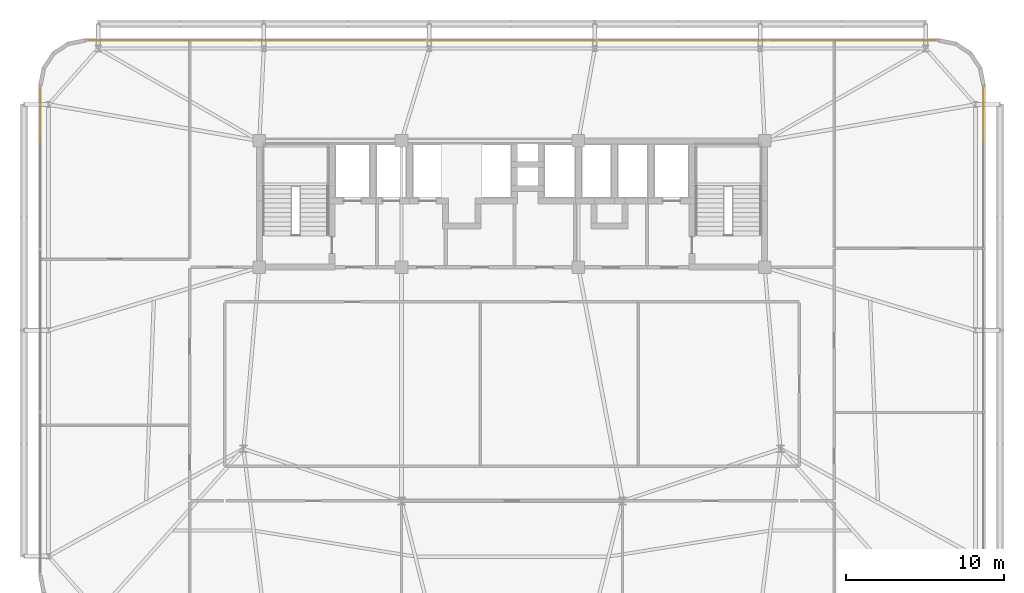
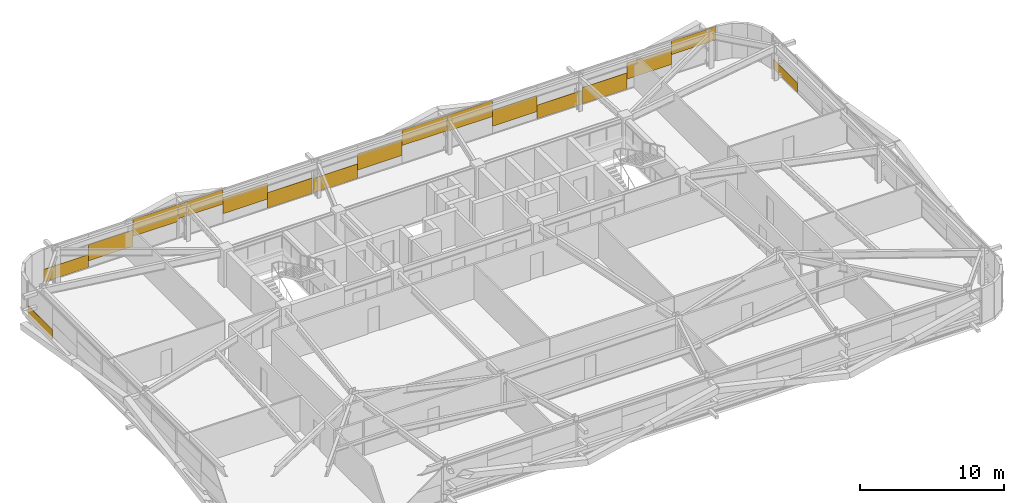
# One storey, part 44 of 44: 17 coverings.
"""IFC4 building model written with IfcOpenShell, lengths in metres."""

from ifc_helpers import new_model, si_unit, direction, frame, origin, origin_2d, place, context, subcontext, project, spatial, rectangle, extrude, source, transform, mapped, material, layer, layer_set, type_object, element, save


model = new_model("IFC4")

# Units and contexts
model_context = context("Model", 3, precision=1e-05, world=origin(), true_north=direction((0.0, 1.0)))
body_context = subcontext(model_context, "Body", "Model", "MODEL_VIEW")
ifc_project = project(units=[si_unit("LENGTHUNIT", "METRE"), si_unit("AREAUNIT", "SQUARE_METRE"), si_unit("VOLUMEUNIT", "CUBIC_METRE"), si_unit("PLANEANGLEUNIT", "RADIAN"), si_unit("MASSUNIT", "GRAM", prefix="KILO")], contexts=[model_context])

# Site, building, storey
site_placement = place(None, origin())
site = spatial("IfcSite", under=ifc_project, at=site_placement, CompositionType="ELEMENT")
building_placement = place(site_placement, origin())
building = spatial("IfcBuilding", under=site, at=building_placement, Name="Taldren Reach Tower", CompositionType="ELEMENT")
storey_placement = place(building_placement, frame((0.0, 0.0, 42.0)))
storey = spatial("IfcBuildingStorey", under=building, at=storey_placement, Name="L12", CompositionType="ELEMENT", Elevation=42.0)

# Coverings
ifc_material = material(Name="Pale Champagne Fluoropolymer Aluminium Spandrel Cladding", Category="aluminium")
ifc_layer = layer(ifc_material, 0.0439453125)
ifc_layer_set = layer_set([ifc_layer], Name="Pale Champagne Fluoropolymer Aluminium Spandrel Cladding")
covering_type = type_object("IfcCoveringType", Name="CV-CLAD-044", PredefinedType="CLADDING", material=ifc_layer_set)
shared_shape_1 = source(origin(), body_context, "Body", "SweptSolid", [
    extrude(rectangle(XDim=3.5673828125, YDim=0.0439453125, at=origin_2d()), origin(), (0.0, 0.0, 1.0), 1.088623046875),
])
covering_1_placement = place(storey_placement, frame((9.8486328125, 38.360107421875, 0.05517578125), z_axis=(0.0, 0.0, 1.0), x_axis=(-1.0, 0.0, 0.0)))
element("IfcCovering", 1, at=covering_1_placement, inside=storey, type_object=covering_type, Name="Diagrid closure cladding strip CW-2 panel 5.1 3", PredefinedType="CLADDING", context=body_context, shape_type="MappedRepresentation", body=[
    mapped(shared_shape_1, transform((0.0, 0.0, 0.0), scale=1.0)),
])
shared_shape_2 = source(origin(), body_context, "Body", "SweptSolid", [
    extrude(rectangle(XDim=3.5673828125, YDim=0.0439453125, at=origin_2d()), origin(), (0.0, 0.0, 1.0), 1.36083984375),
])
for number, where, z_axis, x_axis, name in (
    (2, (56.583740234375, 38.360107421875, 0.899169921875), (0.0, 0.0, 1.0), (-1.0, 0.0, 0.0), "Diagrid closure cladding strip CW-2 panel 1.1 2"),
    (3, (13.416259765625, 38.360107421875, 0.60986328125), (0.0, 0.0, 1.0), (-1.0, 0.0, 0.0), "Diagrid closure cladding strip CW-2 panel 5.1 2"),
):
    element("IfcCovering", number, at=place(storey_placement, frame(where, z_axis=z_axis, x_axis=x_axis)), inside=storey, type_object=covering_type, Name=name, PredefinedType="CLADDING", context=body_context, shape_type="MappedRepresentation", body=[
        mapped(shared_shape_2, transform((0.0, 0.0, 0.0), scale=1.0)),
    ])
shared_shape_3 = source(origin(), body_context, "Body", "SweptSolid", [
    extrude(rectangle(XDim=3.5673828125, YDim=0.0439453125, at=origin_2d()), origin(), (0.0, 0.0, 1.0), 1.437744140625),
])
covering_2_placement = place(storey_placement, frame((16.983642578125, 38.360107421875, 1.43701171875), z_axis=(0.0, 0.0, 1.0), x_axis=(-1.0, 0.0, 0.0)))
element("IfcCovering", 4, at=covering_2_placement, inside=storey, type_object=covering_type, Name="Diagrid closure cladding strip CW-2 panel 5.1 1", PredefinedType="CLADDING", context=body_context, shape_type="MappedRepresentation", body=[
    mapped(shared_shape_3, transform((0.0, 0.0, 0.0), scale=1.0)),
])
shared_shape_4 = source(origin(), body_context, "Body", "SweptSolid", [
    extrude(rectangle(XDim=3.578369140625, YDim=0.0439453125, at=origin_2d()), origin(), (0.0, 0.0, 1.0), 1.2177734375),
])
covering_3_placement = place(storey_placement, frame((20.62158203125, 38.360107421875, 1.6572265625), z_axis=(0.0, 0.0, 1.0), x_axis=(-1.0, 0.0, 0.0)))
element("IfcCovering", 5, at=covering_3_placement, inside=storey, type_object=covering_type, Name="Diagrid closure cladding strip CW-2 panel 4.1 3", PredefinedType="CLADDING", context=body_context, shape_type="MappedRepresentation", body=[
    mapped(shared_shape_4, transform((0.0, 0.0, 0.0), scale=1.0)),
])
shared_shape_5 = source(origin(), body_context, "Body", "SweptSolid", [
    extrude(rectangle(XDim=3.578369140625, YDim=0.0439453125, at=origin_2d()), origin(), (0.0, 0.0, 1.0), 1.36328125),
])
for number, where, z_axis, x_axis, name in (
    (6, (45.800048828125, 38.360107421875, 0.67919921875), (0.0, 0.0, 1.0), (-1.0, 0.0, 0.0), "Diagrid closure cladding strip CW-2 panel 2.1 2"),
    (7, (35.0, 38.360107421875, 0.75341796875), (0.0, 0.0, 1.0), (-1.0, 0.0, 0.0), "Diagrid closure cladding strip CW-2 panel 3.1 2"),
    (8, (24.199951171875, 38.360107421875, 0.82763671875), (0.0, 0.0, 1.0), (-1.0, 0.0, 0.0), "Diagrid closure cladding strip CW-2 panel 4.1 2"),
):
    element("IfcCovering", number, at=place(storey_placement, frame(where, z_axis=z_axis, x_axis=x_axis)), inside=storey, type_object=covering_type, Name=name, PredefinedType="CLADDING", context=body_context, shape_type="MappedRepresentation", body=[
        mapped(shared_shape_5, transform((0.0, 0.0, 0.0), scale=1.0)),
    ])
shared_shape_6 = source(origin(), body_context, "Body", "SweptSolid", [
    extrude(rectangle(XDim=3.578369140625, YDim=0.0439453125, at=origin_2d()), origin(), (0.0, 0.0, 1.0), 1.30615234375),
])
covering_4_placement = place(storey_placement, frame((27.7783203125, 38.360107421875, 0.054931640625), z_axis=(0.0, 0.0, 1.0), x_axis=(-1.0, 0.0, 0.0)))
element("IfcCovering", 9, at=covering_4_placement, inside=storey, type_object=covering_type, Name="Diagrid closure cladding strip CW-2 panel 4.1 1", PredefinedType="CLADDING", context=body_context, shape_type="MappedRepresentation", body=[
    mapped(shared_shape_6, transform((0.0, 0.0, 0.0), scale=1.0)),
])
shared_shape_7 = source(origin(), body_context, "Body", "SweptSolid", [
    extrude(rectangle(XDim=3.578369140625, YDim=0.0439453125, at=origin_2d()), origin(), (0.0, 0.0, 1.0), 1.23193359375),
])
covering_5_placement = place(storey_placement, frame((31.421630859375, 38.360107421875, 0.054931640625), z_axis=(0.0, 0.0, 1.0), x_axis=(-1.0, 0.0, 0.0)))
element("IfcCovering", 10, at=covering_5_placement, inside=storey, type_object=covering_type, Name="Diagrid closure cladding strip CW-2 panel 3.1 3", PredefinedType="CLADDING", context=body_context, shape_type="MappedRepresentation", body=[
    mapped(shared_shape_7, transform((0.0, 0.0, 0.0), scale=1.0)),
])
shared_shape_8 = source(origin(), body_context, "Body", "SweptSolid", [
    extrude(rectangle(XDim=3.578369140625, YDim=0.0439453125, at=origin_2d()), origin(), (0.0, 0.0, 1.0), 1.2919921875),
])
covering_6_placement = place(storey_placement, frame((38.578369140625, 38.360107421875, 1.5830078125), z_axis=(0.0, 0.0, 1.0), x_axis=(-1.0, 0.0, 0.0)))
element("IfcCovering", 11, at=covering_6_placement, inside=storey, type_object=covering_type, Name="Diagrid closure cladding strip CW-2 panel 3.1 1", PredefinedType="CLADDING", context=body_context, shape_type="MappedRepresentation", body=[
    mapped(shared_shape_8, transform((0.0, 0.0, 0.0), scale=1.0)),
])
shared_shape_9 = source(origin(), body_context, "Body", "SweptSolid", [
    extrude(rectangle(XDim=3.578369140625, YDim=0.0439453125, at=origin_2d()), origin(), (0.0, 0.0, 1.0), 1.3662109375),
])
covering_7_placement = place(storey_placement, frame((42.2216796875, 38.360107421875, 1.5087890625), z_axis=(0.0, 0.0, 1.0), x_axis=(-1.0, 0.0, 0.0)))
element("IfcCovering", 12, at=covering_7_placement, inside=storey, type_object=covering_type, Name="Diagrid closure cladding strip CW-2 panel 2.1 3", PredefinedType="CLADDING", context=body_context, shape_type="MappedRepresentation", body=[
    mapped(shared_shape_9, transform((0.0, 0.0, 0.0), scale=1.0)),
])
shared_shape_10 = source(origin(), body_context, "Body", "SweptSolid", [
    extrude(rectangle(XDim=3.578369140625, YDim=0.0439453125, at=origin_2d()), origin(), (0.0, 0.0, 1.0), 1.15771484375),
])
covering_8_placement = place(storey_placement, frame((49.37841796875, 38.360107421875, 0.054931640625), z_axis=(0.0, 0.0, 1.0), x_axis=(-1.0, 0.0, 0.0)))
element("IfcCovering", 13, at=covering_8_placement, inside=storey, type_object=covering_type, Name="Diagrid closure cladding strip CW-2 panel 2.1 1", PredefinedType="CLADDING", context=body_context, shape_type="MappedRepresentation", body=[
    mapped(shared_shape_10, transform((0.0, 0.0, 0.0), scale=1.0)),
])
shared_shape_11 = source(origin(), body_context, "Body", "SweptSolid", [
    extrude(rectangle(XDim=3.5673828125, YDim=0.0439453125, at=origin_2d()), origin(), (0.0, 0.0, 1.0), 1.377685546875),
])
covering_9_placement = place(storey_placement, frame((53.016357421875, 38.360107421875, 0.05517578125), z_axis=(0.0, 0.0, 1.0), x_axis=(-1.0, 0.0, 0.0)))
element("IfcCovering", 14, at=covering_9_placement, inside=storey, type_object=covering_type, Name="Diagrid closure cladding strip CW-2 panel 1.1 3", PredefinedType="CLADDING", context=body_context, shape_type="MappedRepresentation", body=[
    mapped(shared_shape_11, transform((0.0, 0.0, 0.0), scale=1.0)),
])
shared_shape_12 = source(origin(), body_context, "Body", "SweptSolid", [
    extrude(rectangle(XDim=3.5673828125, YDim=0.0439453125, at=origin_2d()), origin(), (0.0, 0.0, 1.0), 1.1484375),
])
covering_10_placement = place(storey_placement, frame((60.1513671875, 38.360107421875, 1.7265625), z_axis=(0.0, 0.0, 1.0), x_axis=(-1.0, 0.0, 0.0)))
element("IfcCovering", 15, at=covering_10_placement, inside=storey, type_object=covering_type, Name="Diagrid closure cladding strip CW-2 panel 1.1 1", PredefinedType="CLADDING", context=body_context, shape_type="MappedRepresentation", body=[
    mapped(shared_shape_12, transform((0.0, 0.0, 0.0), scale=1.0)),
])
shared_shape_13 = source(origin(), body_context, "Body", "SweptSolid", [
    extrude(rectangle(XDim=3.411865234375, YDim=0.0439453125, at=origin_2d()), origin(), (0.0, 0.0, 1.0), 0.815673828125),
])
for number, where, z_axis, x_axis, name in (
    (16, (5.139892578125, 33.72900390625, 0.05517578125), (0.0, 0.0, 1.0), (0.0, -1.0, 0.0), "Diagrid closure cladding strip CW-2 panel 1.1 1"),
    (17, (64.860107421875, 33.72900390625, 0.05517578125), (0.0, 0.0, 1.0), (0.0, 1.0, 0.0), "Diagrid closure cladding strip CW-2 panel 3.1 3"),
):
    element("IfcCovering", number, at=place(storey_placement, frame(where, z_axis=z_axis, x_axis=x_axis)), inside=storey, type_object=covering_type, Name=name, PredefinedType="CLADDING", context=body_context, shape_type="MappedRepresentation", body=[
        mapped(shared_shape_13, transform((0.0, 0.0, 0.0), scale=1.0)),
    ])

save(model, "model.ifc")
